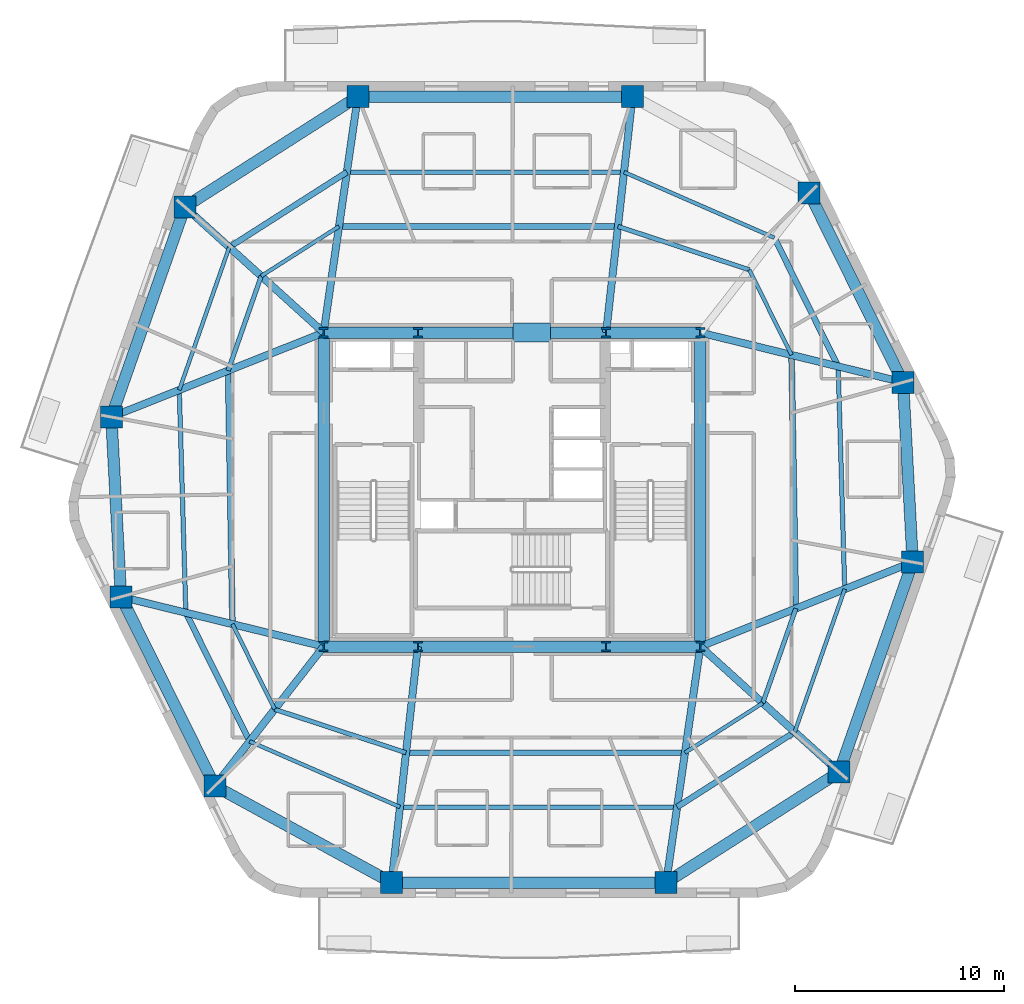
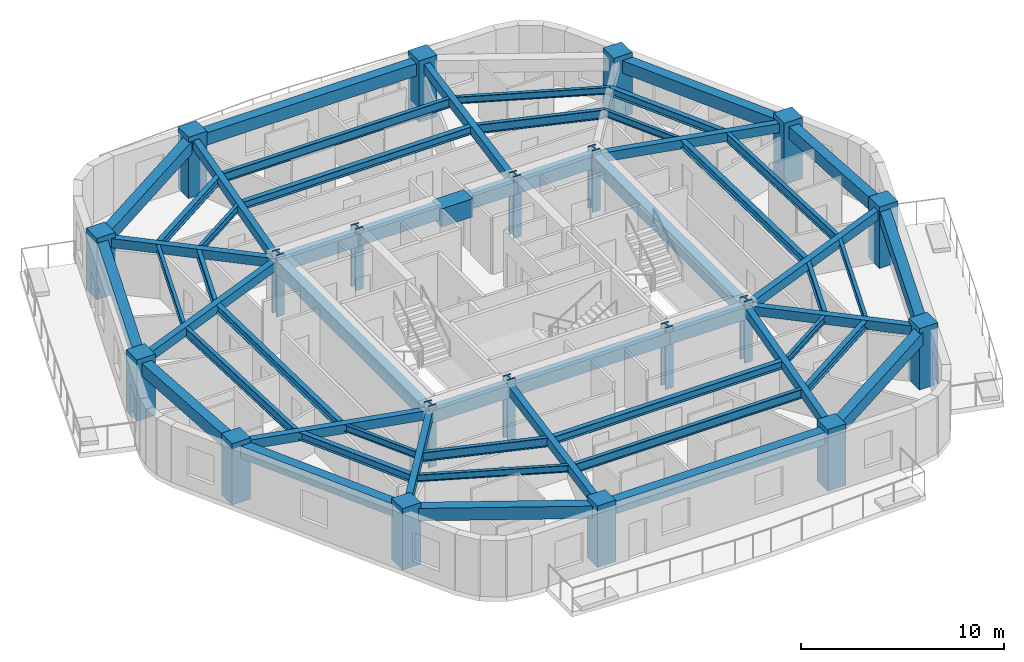
# One storey, part 1 of 11: 55 beams, 20 columns.
"""IFC4 building model written with IfcOpenShell, lengths in metres."""

from ifc_helpers import new_model, si_unit, direction, frame, origin, origin_2d, place, context, subcontext, project, spatial, rectangle, i_section, extrude, material, material_profile, profile_set, type_object, element, save


model = new_model("IFC4")

# Units and contexts
model_context = context("Model", 3, precision=1e-05, world=origin(), true_north=direction((0.0, 1.0)))
body_context = subcontext(model_context, "Body", "Model", "MODEL_VIEW")
ifc_project = project(units=[si_unit("LENGTHUNIT", "METRE"), si_unit("AREAUNIT", "SQUARE_METRE"), si_unit("VOLUMEUNIT", "CUBIC_METRE"), si_unit("PLANEANGLEUNIT", "RADIAN"), si_unit("MASSUNIT", "GRAM", prefix="KILO")], contexts=[model_context])

# Site, building, storey
site_placement = place(None, origin())
site = spatial("IfcSite", under=ifc_project, at=site_placement, CompositionType="ELEMENT")
building_placement = place(site_placement, origin())
building = spatial("IfcBuilding", under=site, at=building_placement, Name="Kilnhurst Terrace Hotel", CompositionType="ELEMENT")
storey_placement = place(building_placement, frame((0.0, 0.0, 162.800048828125)))
storey = spatial("IfcBuildingStorey", under=building, at=storey_placement, Name="L40", CompositionType="ELEMENT", Elevation=162.800048828125)

# Columns
ifc_material_1 = material(Name="Concrete C80/95", Category="concrete")
ifc_material_profile_1 = material_profile(ifc_material_1, rectangle(XDim=1.050048828125, YDim=1.050048828125, at=origin_2d()), Name="RC1050X1050")
ifc_profile_set_1 = profile_set([ifc_material_profile_1], Name="Concrete C80/95")
column_type_1 = type_object("IfcColumnType", Name="COL-RC-1050", PredefinedType="COLUMN", material=ifc_profile_set_1)
for number, where, z_axis, x_axis, name in (
    (1, (-5.7548828125, -18.780029296875, 0.0), (0.0, 0.0, 1.0), (1.0, 0.0, 0.0), "L40 Structural Column PC-F11"),
    (2, (7.368896484375, -18.780029296875, 0.0), (0.0, 0.0, 1.0), (1.0, 0.0, 0.0), "L40 Structural Column PC-F12"),
    (3, (15.633056640625, -13.5048828125, 0.0), (0.0, 0.0, 1.0), (1.0, 0.0, 0.0), "L40 Structural Column PC-F21"),
    (4, (19.14794921875, -3.467041015625, 0.0), (0.0, 0.0, 1.0), (1.0, 0.0, 0.0), "L40 Structural Column PC-F22"),
    (5, (18.68701171875, 5.1240234375, 0.0), (0.0, 0.0, 1.0), (1.0, 0.0, 0.0), "L40 Structural Column PC-F31"),
    (6, (14.2041015625, 14.166015625, 0.0), (0.0, 0.0, 1.0), (1.0, 0.0, 0.0), "L40 Structural Column PC-F32"),
    (7, (5.7548828125, 18.780029296875, 0.0), (0.0, 0.0, 1.0), (1.0, 0.0, 0.0), "L40 Structural Column PC-F41"),
    (8, (-7.368896484375, 18.780029296875, 0.0), (0.0, 0.0, 1.0), (1.0, 0.0, 0.0), "L40 Structural Column PC-F42"),
    (9, (-15.633056640625, 13.5048828125, 0.0), (0.0, 0.0, 1.0), (1.0, 0.0, 0.0), "L40 Structural Column PC-F51"),
    (10, (-19.14794921875, 3.467041015625, 0.0), (0.0, 0.0, 1.0), (1.0, 0.0, 0.0), "L40 Structural Column PC-F52"),
    (11, (-18.68701171875, -5.1240234375, 0.0), (0.0, 0.0, 1.0), (1.0, 0.0, 0.0), "L40 Structural Column PC-F61"),
    (12, (-14.2041015625, -14.166015625, 0.0), (0.0, 0.0, 1.0), (1.0, 0.0, 0.0), "L40 Structural Column PC-F62"),
):
    element("IfcColumn", number, at=place(storey_placement, frame(where, z_axis=z_axis, x_axis=x_axis)), inside=storey, type_object=column_type_1, Name=name, PredefinedType="COLUMN", context=body_context, shape_type="SweptSolid", body=[
        extrude(rectangle(XDim=1.050048828125, YDim=1.050048828125, at=origin_2d()), origin(), (0.0, 0.0, 1.0), 3.699951171875),
    ])
ifc_material_2 = material(Name="Steel ASTM A992 Grade 50", Category="steel")
ifc_material_profile_2 = material_profile(ifc_material_2, i_section(OverallWidth=0.43212890625, OverallDepth=0.497802734375, WebThickness=0.0556640625, FlangeThickness=0.0888671875, at=origin_2d()), Name="W14X500")
ifc_profile_set_2 = profile_set([ifc_material_profile_2], Name="Steel ASTM A992 Grade 50")
column_type_2 = type_object("IfcColumnType", Name="COL-STL-W14X500", PredefinedType="COLUMN", material=ifc_profile_set_2)
for number, where, z_axis, x_axis, name in (
    (13, (-9.0, -7.5, 0.0), (0.0, 0.0, 1.0), (1.0, 0.0, 0.0), "L40 Structural Column CC-SW"),
    (14, (-4.5, -7.5, 0.0), (0.0, 0.0, 1.0), (1.0, 0.0, 0.0), "L40 Structural Column CC-SC1"),
    (15, (4.5, -7.5, 0.0), (0.0, 0.0, 1.0), (1.0, 0.0, 0.0), "L40 Structural Column CC-SC2"),
    (16, (9.0, -7.5, 0.0), (0.0, 0.0, 1.0), (1.0, 0.0, 0.0), "L40 Structural Column CC-SE"),
    (17, (9.0, 7.5, 0.0), (0.0, 0.0, 1.0), (1.0, 0.0, 0.0), "L40 Structural Column CC-NE"),
    (18, (4.5, 7.5, 0.0), (0.0, 0.0, 1.0), (1.0, 0.0, 0.0), "L40 Structural Column CC-NC2"),
    (19, (-4.5, 7.5, 0.0), (0.0, 0.0, 1.0), (1.0, 0.0, 0.0), "L40 Structural Column CC-NC1"),
    (20, (-9.0, 7.5, 0.0), (0.0, 0.0, 1.0), (1.0, 0.0, 0.0), "L40 Structural Column CC-NW"),
):
    element("IfcColumn", number, at=place(storey_placement, frame(where, z_axis=z_axis, x_axis=x_axis)), inside=storey, type_object=column_type_2, Name=name, PredefinedType="COLUMN", context=body_context, shape_type="SweptSolid", body=[
        extrude(i_section(OverallWidth=0.43212890625, OverallDepth=0.497802734375, WebThickness=0.0556640625, FlangeThickness=0.0888671875, at=origin_2d()), origin(), (0.0, 0.0, 1.0), 3.699951171875),
    ])

# Beams
ifc_material_3 = material(Name="Concrete C50/60", Category="concrete")
ifc_material_profile_3 = material_profile(ifc_material_3, rectangle(XDim=0.35009765625, YDim=0.550048828125, at=origin_2d()), Name="RC350X550")
ifc_profile_set_3 = profile_set([ifc_material_profile_3], Name="Concrete C50/60")
beam_type_1 = type_object("IfcBeamType", Name="BM-RAD-350X550", PredefinedType="BEAM", material=ifc_profile_set_3)
beam_1_placement = place(storey_placement, frame((-4.5, -7.5, 3.125), z_axis=(-0.110566099441, -0.993868772854, 0.0), x_axis=(0.993868772854, -0.110566099441, 0.0)))
element("IfcBeam", 21, at=beam_1_placement, inside=storey, type_object=beam_type_1, Name="L40 Radial Floor Beam 1", PredefinedType="BEAM", context=body_context, shape_type="SweptSolid", body=[
    extrude(rectangle(XDim=0.35009765625, YDim=0.550048828125, at=origin_2d()), origin(), (0.0, 0.0, 1.0), 11.349609375),
])
beam_2_placement = place(storey_placement, frame((9.0, -7.5, 3.125), z_axis=(-0.143112538238, -0.989706421824, 0.0), x_axis=(0.989706421824, -0.143112538238, 0.0)))
element("IfcBeam", 22, at=beam_2_placement, inside=storey, type_object=beam_type_1, Name="L40 Radial Floor Beam 2", PredefinedType="BEAM", context=body_context, shape_type="SweptSolid", body=[
    extrude(rectangle(XDim=0.35009765625, YDim=0.550048828125, at=origin_2d()), origin(), (0.0, 0.0, 1.0), 11.3974609375),
])
beam_3_placement = place(storey_placement, frame((9.0, -7.5, 3.125), z_axis=(0.741338585645, -0.671131210296, 0.0), x_axis=(0.671131210296, 0.741338585645, 0.0)))
element("IfcBeam", 23, at=beam_3_placement, inside=storey, type_object=beam_type_1, Name="L40 Radial Floor Beam 3", PredefinedType="BEAM", context=body_context, shape_type="SweptSolid", body=[
    extrude(rectangle(XDim=0.35009765625, YDim=0.550048828125, at=origin_2d()), origin(), (0.0, 0.0, 1.0), 8.947509765625),
])
beam_4_placement = place(storey_placement, frame((9.0, -7.5, 3.125), z_axis=(0.929302373458, 0.369319778356, 0.0), x_axis=(-0.369319778356, 0.929302373458, 0.0)))
element("IfcBeam", 24, at=beam_4_placement, inside=storey, type_object=beam_type_1, Name="L40 Radial Floor Beam 4", PredefinedType="BEAM", context=body_context, shape_type="SweptSolid", body=[
    extrude(rectangle(XDim=0.35009765625, YDim=0.550048828125, at=origin_2d()), origin(), (0.0, 0.0, 1.0), 10.919921875),
])
beam_5_placement = place(storey_placement, frame((9.0, 7.5, 3.125), z_axis=(0.971212767405, -0.238213686486, 0.0), x_axis=(0.238213686486, 0.971212767405, 0.0)))
element("IfcBeam", 25, at=beam_5_placement, inside=storey, type_object=beam_type_1, Name="L40 Radial Floor Beam 5", PredefinedType="BEAM", context=body_context, shape_type="SweptSolid", body=[
    extrude(rectangle(XDim=0.35009765625, YDim=0.550048828125, at=origin_2d()), origin(), (0.0, 0.0, 1.0), 9.97412109375),
])
beam_6_placement = place(storey_placement, frame((4.5, 7.5, 3.125), z_axis=(0.110566099441, 0.993868772854, 0.0), x_axis=(-0.993868772854, 0.110566099441, 0.0)))
element("IfcBeam", 26, at=beam_6_placement, inside=storey, type_object=beam_type_1, Name="L40 Radial Floor Beam 7", PredefinedType="BEAM", context=body_context, shape_type="SweptSolid", body=[
    extrude(rectangle(XDim=0.35009765625, YDim=0.550048828125, at=origin_2d()), origin(), (0.0, 0.0, 1.0), 11.349609375),
])
beam_7_placement = place(storey_placement, frame((-9.0, 7.5, 3.125), z_axis=(0.143112538238, 0.989706421824, 0.0), x_axis=(-0.989706421824, 0.143112538238, 0.0)))
element("IfcBeam", 27, at=beam_7_placement, inside=storey, type_object=beam_type_1, Name="L40 Radial Floor Beam 8", PredefinedType="BEAM", context=body_context, shape_type="SweptSolid", body=[
    extrude(rectangle(XDim=0.35009765625, YDim=0.550048828125, at=origin_2d()), origin(), (0.0, 0.0, 1.0), 11.3974609375),
])
beam_8_placement = place(storey_placement, frame((-9.0, 7.5, 3.125), z_axis=(-0.741338585645, 0.671131210296, 0.0), x_axis=(-0.671131210296, -0.741338585645, 0.0)))
element("IfcBeam", 28, at=beam_8_placement, inside=storey, type_object=beam_type_1, Name="L40 Radial Floor Beam 9", PredefinedType="BEAM", context=body_context, shape_type="SweptSolid", body=[
    extrude(rectangle(XDim=0.35009765625, YDim=0.550048828125, at=origin_2d()), origin(), (0.0, 0.0, 1.0), 8.947509765625),
])
beam_9_placement = place(storey_placement, frame((-9.0, 7.5, 3.125), z_axis=(-0.929302373458, -0.369319778356, 0.0), x_axis=(0.369319778356, -0.929302373458, 0.0)))
element("IfcBeam", 29, at=beam_9_placement, inside=storey, type_object=beam_type_1, Name="L40 Radial Floor Beam 10", PredefinedType="BEAM", context=body_context, shape_type="SweptSolid", body=[
    extrude(rectangle(XDim=0.35009765625, YDim=0.550048828125, at=origin_2d()), origin(), (0.0, 0.0, 1.0), 10.919921875),
])
beam_10_placement = place(storey_placement, frame((-9.0, -7.5, 3.125), z_axis=(-0.971212767405, 0.238213686486, 0.0), x_axis=(-0.238213686486, -0.971212767405, 0.0)))
element("IfcBeam", 30, at=beam_10_placement, inside=storey, type_object=beam_type_1, Name="L40 Radial Floor Beam 11", PredefinedType="BEAM", context=body_context, shape_type="SweptSolid", body=[
    extrude(rectangle(XDim=0.35009765625, YDim=0.550048828125, at=origin_2d()), origin(), (0.0, 0.0, 1.0), 9.97412109375),
])
beam_11_placement = place(storey_placement, frame((-9.0, -7.5, 3.125), z_axis=(-0.615370616457, -0.78823791104, 0.0), x_axis=(0.78823791104, -0.615370616457, 0.0)))
element("IfcBeam", 31, at=beam_11_placement, inside=storey, type_object=beam_type_1, Name="L40 Radial Floor Beam 12", PredefinedType="BEAM", context=body_context, shape_type="SweptSolid", body=[
    extrude(rectangle(XDim=0.35009765625, YDim=0.550048828125, at=origin_2d()), origin(), (0.0, 0.0, 1.0), 8.456787109375),
])
ifc_material_profile_4 = material_profile(ifc_material_3, rectangle(XDim=0.550048828125, YDim=0.75, at=origin_2d()), Name="RC550X750")
ifc_profile_set_4 = profile_set([ifc_material_profile_4], Name="Concrete C50/60")
beam_type_2 = type_object("IfcBeamType", Name="BM-SPN-550X750", PredefinedType="SPANDREL", material=ifc_profile_set_4)
beam_12_placement = place(storey_placement, frame((-9.0, 7.5, 3.02490234375), z_axis=(1.0, 0.0, 0.0), x_axis=(0.0, 1.0, 0.0)))
element("IfcBeam", 32, at=beam_12_placement, inside=storey, type_object=beam_type_2, Name="L40 Core Tie Beam CC-NW to CC-NC1", PredefinedType="SPANDREL", context=body_context, shape_type="SweptSolid", body=[
    extrude(rectangle(XDim=0.550048828125, YDim=0.75, at=origin_2d()), origin(), (0.0, 0.0, 1.0), 4.5),
])
beam_13_placement = place(storey_placement, frame((-4.5, 7.5, 3.02490234375), z_axis=(1.0, 0.0, 0.0), x_axis=(0.0, 1.0, 0.0)))
element("IfcBeam", 33, at=beam_13_placement, inside=storey, type_object=beam_type_2, Name="L40 Core Tie Beam CC-NC1 to CC-NC2", PredefinedType="SPANDREL", context=body_context, shape_type="SweptSolid", body=[
    extrude(rectangle(XDim=0.550048828125, YDim=0.75, at=origin_2d()), origin(), (0.0, 0.0, 1.0), 9.0),
])
for number, where, z_axis, x_axis, name in (
    (34, (4.5, 7.5, 3.02490234375), (1.0, 0.0, 0.0), (0.0, 1.0, 0.0), "L40 Core Tie Beam CC-NC2 to CC-NE"),
    (35, (-9.0, -7.5, 3.02490234375), (1.0, 0.0, 0.0), (0.0, 1.0, 0.0), "L40 Core Tie Beam CC-SW to CC-SC1"),
):
    element("IfcBeam", number, at=place(storey_placement, frame(where, z_axis=z_axis, x_axis=x_axis)), inside=storey, type_object=beam_type_2, Name=name, PredefinedType="SPANDREL", context=body_context, shape_type="SweptSolid", body=[
        extrude(rectangle(XDim=0.550048828125, YDim=0.75, at=origin_2d()), origin(), (0.0, 0.0, 1.0), 4.5),
    ])
beam_14_placement = place(storey_placement, frame((-4.5, -7.5, 3.02490234375), z_axis=(1.0, 0.0, 0.0), x_axis=(0.0, 1.0, 0.0)))
element("IfcBeam", 36, at=beam_14_placement, inside=storey, type_object=beam_type_2, Name="L40 Core Tie Beam CC-SC1 to CC-SC2", PredefinedType="SPANDREL", context=body_context, shape_type="SweptSolid", body=[
    extrude(rectangle(XDim=0.550048828125, YDim=0.75, at=origin_2d()), origin(), (0.0, 0.0, 1.0), 9.0),
])
beam_15_placement = place(storey_placement, frame((4.5, -7.5, 3.02490234375), z_axis=(1.0, 0.0, 0.0), x_axis=(0.0, 1.0, 0.0)))
element("IfcBeam", 37, at=beam_15_placement, inside=storey, type_object=beam_type_2, Name="L40 Core Tie Beam CC-SC2 to CC-SE", PredefinedType="SPANDREL", context=body_context, shape_type="SweptSolid", body=[
    extrude(rectangle(XDim=0.550048828125, YDim=0.75, at=origin_2d()), origin(), (0.0, 0.0, 1.0), 4.5),
])
for number, where, z_axis, x_axis, name in (
    (38, (-9.0, -7.5, 3.02490234375), (0.0, 1.0, 0.0), (-1.0, 0.0, 0.0), "L40 Core Tie Beam CC-SW to CC-NW"),
    (39, (9.0, -7.5, 3.02490234375), (0.0, 1.0, 0.0), (-1.0, 0.0, 0.0), "L40 Core Tie Beam CC-SE to CC-NE"),
):
    element("IfcBeam", number, at=place(storey_placement, frame(where, z_axis=z_axis, x_axis=x_axis)), inside=storey, type_object=beam_type_2, Name=name, PredefinedType="SPANDREL", context=body_context, shape_type="SweptSolid", body=[
        extrude(rectangle(XDim=0.550048828125, YDim=0.75, at=origin_2d()), origin(), (0.0, 0.0, 1.0), 15.0),
    ])
beam_16_placement = place(storey_placement, frame((-5.7548828125, -18.780029296875, 3.02490234375), z_axis=(1.0, 0.0, 0.0), x_axis=(0.0, 1.0, 0.0)))
element("IfcBeam", 40, at=beam_16_placement, inside=storey, type_object=beam_type_2, Name="L40 Perimeter Spandrel Beam 1", PredefinedType="SPANDREL", context=body_context, shape_type="SweptSolid", body=[
    extrude(rectangle(XDim=0.550048828125, YDim=0.75, at=origin_2d()), origin(), (0.0, 0.0, 1.0), 13.123779296875),
])
beam_17_placement = place(storey_placement, frame((7.368896484375, -18.780029296875, 3.02490234375), z_axis=(0.842915241256, 0.538046369803, 0.0), x_axis=(-0.538046369803, 0.842915241256, 0.0)))
element("IfcBeam", 41, at=beam_17_placement, inside=storey, type_object=beam_type_2, Name="L40 Perimeter Spandrel Beam 2", PredefinedType="SPANDREL", context=body_context, shape_type="SweptSolid", body=[
    extrude(rectangle(XDim=0.550048828125, YDim=0.75, at=origin_2d()), origin(), (0.0, 0.0, 1.0), 9.80419921875),
])
beam_18_placement = place(storey_placement, frame((15.633056640625, -13.5048828125, 3.02490234375), z_axis=(0.330488460168, 0.943810032632, 0.0), x_axis=(-0.943810032632, 0.330488460168, 0.0)))
element("IfcBeam", 42, at=beam_18_placement, inside=storey, type_object=beam_type_2, Name="L40 Perimeter Spandrel Beam 3", PredefinedType="SPANDREL", context=body_context, shape_type="SweptSolid", body=[
    extrude(rectangle(XDim=0.550048828125, YDim=0.75, at=origin_2d()), origin(), (0.0, 0.0, 1.0), 10.635498046875),
])
beam_19_placement = place(storey_placement, frame((19.14794921875, -3.467041015625, 3.02490234375), z_axis=(-0.053576072051, 0.998563770875, 0.0), x_axis=(-0.998563770875, -0.053576072051, 0.0)))
element("IfcBeam", 43, at=beam_19_placement, inside=storey, type_object=beam_type_2, Name="L40 Perimeter Spandrel Beam 4", PredefinedType="SPANDREL", context=body_context, shape_type="SweptSolid", body=[
    extrude(rectangle(XDim=0.550048828125, YDim=0.75, at=origin_2d()), origin(), (0.0, 0.0, 1.0), 8.603515625),
])
beam_20_placement = place(storey_placement, frame((18.68701171875, 5.1240234375, 3.02490234375), z_axis=(-0.444192032261, 0.895931603682, 0.0), x_axis=(-0.895931603682, -0.444192032261, 0.0)))
element("IfcBeam", 44, at=beam_20_placement, inside=storey, type_object=beam_type_2, Name="L40 Perimeter Spandrel Beam 5", PredefinedType="SPANDREL", context=body_context, shape_type="SweptSolid", body=[
    extrude(rectangle(XDim=0.550048828125, YDim=0.75, at=origin_2d()), origin(), (0.0, 0.0, 1.0), 10.09228515625),
])
beam_21_placement = place(storey_placement, frame((5.7548828125, 18.780029296875, 3.02490234375), z_axis=(-1.0, 0.0, 0.0), x_axis=(0.0, -1.0, 0.0)))
element("IfcBeam", 45, at=beam_21_placement, inside=storey, type_object=beam_type_2, Name="L40 Perimeter Spandrel Beam 7", PredefinedType="SPANDREL", context=body_context, shape_type="SweptSolid", body=[
    extrude(rectangle(XDim=0.550048828125, YDim=0.75, at=origin_2d()), origin(), (0.0, 0.0, 1.0), 13.123779296875),
])
beam_22_placement = place(storey_placement, frame((-7.368896484375, 18.780029296875, 3.02490234375), z_axis=(-0.842915241256, -0.538046369803, 0.0), x_axis=(0.538046369803, -0.842915241256, 0.0)))
element("IfcBeam", 46, at=beam_22_placement, inside=storey, type_object=beam_type_2, Name="L40 Perimeter Spandrel Beam 8", PredefinedType="SPANDREL", context=body_context, shape_type="SweptSolid", body=[
    extrude(rectangle(XDim=0.550048828125, YDim=0.75, at=origin_2d()), origin(), (0.0, 0.0, 1.0), 9.80419921875),
])
beam_23_placement = place(storey_placement, frame((-15.633056640625, 13.5048828125, 3.02490234375), z_axis=(-0.330488460168, -0.943810032632, 0.0), x_axis=(0.943810032632, -0.330488460168, 0.0)))
element("IfcBeam", 47, at=beam_23_placement, inside=storey, type_object=beam_type_2, Name="L40 Perimeter Spandrel Beam 9", PredefinedType="SPANDREL", context=body_context, shape_type="SweptSolid", body=[
    extrude(rectangle(XDim=0.550048828125, YDim=0.75, at=origin_2d()), origin(), (0.0, 0.0, 1.0), 10.635498046875),
])
beam_24_placement = place(storey_placement, frame((-19.14794921875, 3.467041015625, 3.02490234375), z_axis=(0.053576072051, -0.998563770875, 0.0), x_axis=(0.998563770875, 0.053576072051, 0.0)))
element("IfcBeam", 48, at=beam_24_placement, inside=storey, type_object=beam_type_2, Name="L40 Perimeter Spandrel Beam 10", PredefinedType="SPANDREL", context=body_context, shape_type="SweptSolid", body=[
    extrude(rectangle(XDim=0.550048828125, YDim=0.75, at=origin_2d()), origin(), (0.0, 0.0, 1.0), 8.603515625),
])
beam_25_placement = place(storey_placement, frame((-18.68701171875, -5.1240234375, 3.02490234375), z_axis=(0.444192032261, -0.895931603682, 0.0), x_axis=(0.895931603682, 0.444192032261, 0.0)))
element("IfcBeam", 49, at=beam_25_placement, inside=storey, type_object=beam_type_2, Name="L40 Perimeter Spandrel Beam 11", PredefinedType="SPANDREL", context=body_context, shape_type="SweptSolid", body=[
    extrude(rectangle(XDim=0.550048828125, YDim=0.75, at=origin_2d()), origin(), (0.0, 0.0, 1.0), 10.09228515625),
])
beam_26_placement = place(storey_placement, frame((-14.2041015625, -14.166015625, 3.02490234375), z_axis=(0.87766189723, -0.479280287672, 0.0), x_axis=(0.479280287672, 0.87766189723, 0.0)))
element("IfcBeam", 50, at=beam_26_placement, inside=storey, type_object=beam_type_2, Name="L40 Perimeter Spandrel Beam 12", PredefinedType="SPANDREL", context=body_context, shape_type="SweptSolid", body=[
    extrude(rectangle(XDim=0.550048828125, YDim=0.75, at=origin_2d()), origin(), (0.0, 0.0, 1.0), 9.626953125),
])
ifc_material_profile_5 = material_profile(ifc_material_2, i_section(OverallWidth=0.180908203125, OverallDepth=0.417236328125, WebThickness=0.010986328125, FlangeThickness=0.018310546875, at=origin_2d()), Name="W16X57")
ifc_profile_set_5 = profile_set([ifc_material_profile_5], Name="Steel ASTM A992 Grade 50")
beam_type_3 = type_object("IfcBeamType", Name="JST-STL-W16X57", PredefinedType="JOIST", material=ifc_profile_set_5)
beam_27_placement = place(storey_placement, frame((13.510498046875, -11.58349609375, 3.19091796875), z_axis=(0.330481239411, 0.943812561051, 0.0), x_axis=(-0.943812561051, 0.330481239411, 0.0)))
element("IfcBeam", 51, at=beam_27_placement, inside=storey, type_object=beam_type_3, Name="L40 Secondary Floor Steel Joist OUT.3", PredefinedType="JOIST", context=body_context, shape_type="SweptSolid", body=[
    extrude(i_section(OverallWidth=0.180908203125, OverallDepth=0.417236328125, WebThickness=0.010986328125, FlangeThickness=0.018310546875, at=origin_2d()), origin(), (0.0, 0.0, 1.0), 7.232177734375),
])
beam_28_placement = place(storey_placement, frame((12.538818359375, 12.032958984375, 3.19091796875), z_axis=(-0.916443679054, 0.400163695407, 0.0), x_axis=(-0.400163695407, -0.916443679054, 0.0)))
element("IfcBeam", 52, at=beam_28_placement, inside=storey, type_object=beam_type_3, Name="L40 Secondary Floor Steel Joist OUT.6", PredefinedType="JOIST", context=body_context, shape_type="SweptSolid", body=[
    extrude(i_section(OverallWidth=0.180908203125, OverallDepth=0.417236328125, WebThickness=0.010986328125, FlangeThickness=0.018310546875, at=origin_2d()), origin(), (0.0, 0.0, 1.0), 7.84033203125),
])
beam_29_placement = place(storey_placement, frame((-13.510498046875, 11.58349609375, 3.19091796875), z_axis=(-0.330481239411, -0.943812561051, 0.0), x_axis=(0.943812561051, -0.330481239411, 0.0)))
element("IfcBeam", 53, at=beam_29_placement, inside=storey, type_object=beam_type_3, Name="L40 Secondary Floor Steel Joist OUT.9", PredefinedType="JOIST", context=body_context, shape_type="SweptSolid", body=[
    extrude(i_section(OverallWidth=0.180908203125, OverallDepth=0.417236328125, WebThickness=0.010986328125, FlangeThickness=0.018310546875, at=origin_2d()), origin(), (0.0, 0.0, 1.0), 7.232177734375),
])
beam_30_placement = place(storey_placement, frame((-12.538818359375, -12.032958984375, 3.19091796875), z_axis=(0.916443679054, -0.400163695407, 0.0), x_axis=(0.400163695407, 0.916443679054, 0.0)))
element("IfcBeam", 54, at=beam_30_placement, inside=storey, type_object=beam_type_3, Name="L40 Secondary Floor Steel Joist OUT.12", PredefinedType="JOIST", context=body_context, shape_type="SweptSolid", body=[
    extrude(i_section(OverallWidth=0.180908203125, OverallDepth=0.417236328125, WebThickness=0.010986328125, FlangeThickness=0.018310546875, at=origin_2d()), origin(), (0.0, 0.0, 1.0), 7.84033203125),
])
beam_31_placement = place(storey_placement, frame((8.26611328125, -12.575927734375, 3.19091796875), z_axis=(0.842910995806, 0.53805302076, 0.0), x_axis=(-0.53805302076, 0.842910995806, 0.0)))
element("IfcBeam", 55, at=beam_31_placement, inside=storey, type_object=beam_type_3, Name="L40 Secondary Floor Steel Joist IN.2", PredefinedType="JOIST", context=body_context, shape_type="SweptSolid", body=[
    extrude(i_section(OverallWidth=0.180908203125, OverallDepth=0.417236328125, WebThickness=0.010986328125, FlangeThickness=0.018310546875, at=origin_2d()), origin(), (0.0, 0.0, 1.0), 4.411865234375),
])
beam_32_placement = place(storey_placement, frame((13.359130859375, 6.430908203125, 3.19091796875), z_axis=(-0.444200626094, 0.895927342912, 0.0), x_axis=(-0.895927342912, -0.444200626094, 0.0)))
element("IfcBeam", 56, at=beam_32_placement, inside=storey, type_object=beam_type_3, Name="L40 Secondary Floor Steel Joist IN.5", PredefinedType="JOIST", context=body_context, shape_type="SweptSolid", body=[
    extrude(i_section(OverallWidth=0.180908203125, OverallDepth=0.417236328125, WebThickness=0.010986328125, FlangeThickness=0.018310546875, at=origin_2d()), origin(), (0.0, 0.0, 1.0), 4.54150390625),
])
beam_33_placement = place(storey_placement, frame((-8.26611328125, 12.575927734375, 3.19091796875), z_axis=(-0.842910995806, -0.53805302076, 0.0), x_axis=(0.53805302076, -0.842910995806, 0.0)))
element("IfcBeam", 57, at=beam_33_placement, inside=storey, type_object=beam_type_3, Name="L40 Secondary Floor Steel Joist IN.8", PredefinedType="JOIST", context=body_context, shape_type="SweptSolid", body=[
    extrude(i_section(OverallWidth=0.180908203125, OverallDepth=0.417236328125, WebThickness=0.010986328125, FlangeThickness=0.018310546875, at=origin_2d()), origin(), (0.0, 0.0, 1.0), 4.411865234375),
])
beam_34_placement = place(storey_placement, frame((-13.359130859375, -6.430908203125, 3.19091796875), z_axis=(0.444200626094, -0.895927342912, 0.0), x_axis=(0.895927342912, 0.444200626094, 0.0)))
element("IfcBeam", 58, at=beam_34_placement, inside=storey, type_object=beam_type_3, Name="L40 Secondary Floor Steel Joist IN.11", PredefinedType="JOIST", context=body_context, shape_type="SweptSolid", body=[
    extrude(i_section(OverallWidth=0.180908203125, OverallDepth=0.417236328125, WebThickness=0.010986328125, FlangeThickness=0.018310546875, at=origin_2d()), origin(), (0.0, 0.0, 1.0), 4.54150390625),
])
ifc_material_profile_6 = material_profile(ifc_material_2, i_section(OverallWidth=0.279296875, OverallDepth=0.462890625, WebThickness=0.0107421875, FlangeThickness=0.017333984375, at=origin_2d()), Name="W18X76")
ifc_profile_set_6 = profile_set([ifc_material_profile_6], Name="Steel ASTM A992 Grade 50")
beam_type_4 = type_object("IfcBeamType", Name="JST-STL-W18X76", PredefinedType="JOIST", material=ifc_profile_set_6)
beam_35_placement = place(storey_placement, frame((7.890869140625, -15.17041015625, 3.16796875), z_axis=(0.842927863369, 0.538026595213, 0.0), x_axis=(-0.538026595213, 0.842927863369, 0.0)))
element("IfcBeam", 59, at=beam_35_placement, inside=storey, type_object=beam_type_4, Name="L40 Secondary Floor Steel Joist OUT.2", PredefinedType="JOIST", context=body_context, shape_type="SweptSolid", body=[
    extrude(i_section(OverallWidth=0.279296875, OverallDepth=0.462890625, WebThickness=0.0107421875, FlangeThickness=0.017333984375, at=origin_2d()), origin(), (0.0, 0.0, 1.0), 6.666748046875),
])
beam_36_placement = place(storey_placement, frame((15.587158203125, 5.88427734375, 3.16796875), z_axis=(-0.444180101574, 0.895937518673, 0.0), x_axis=(-0.895937518673, -0.444180101574, 0.0)))
element("IfcBeam", 60, at=beam_36_placement, inside=storey, type_object=beam_type_4, Name="L40 Secondary Floor Steel Joist OUT.5", PredefinedType="JOIST", context=body_context, shape_type="SweptSolid", body=[
    extrude(i_section(OverallWidth=0.279296875, OverallDepth=0.462890625, WebThickness=0.0107421875, FlangeThickness=0.017333984375, at=origin_2d()), origin(), (0.0, 0.0, 1.0), 6.86279296875),
])
beam_37_placement = place(storey_placement, frame((-7.890869140625, 15.17041015625, 3.16796875), z_axis=(-0.842927863369, -0.538026595213, 0.0), x_axis=(0.538026595213, -0.842927863369, 0.0)))
element("IfcBeam", 61, at=beam_37_placement, inside=storey, type_object=beam_type_4, Name="L40 Secondary Floor Steel Joist OUT.8", PredefinedType="JOIST", context=body_context, shape_type="SweptSolid", body=[
    extrude(i_section(OverallWidth=0.279296875, OverallDepth=0.462890625, WebThickness=0.0107421875, FlangeThickness=0.017333984375, at=origin_2d()), origin(), (0.0, 0.0, 1.0), 6.666748046875),
])
beam_38_placement = place(storey_placement, frame((-15.587158203125, -5.88427734375, 3.16796875), z_axis=(0.444180101574, -0.895937518673, 0.0), x_axis=(0.895937518673, 0.444180101574, 0.0)))
element("IfcBeam", 62, at=beam_38_placement, inside=storey, type_object=beam_type_4, Name="L40 Secondary Floor Steel Joist OUT.11", PredefinedType="JOIST", context=body_context, shape_type="SweptSolid", body=[
    extrude(i_section(OverallWidth=0.279296875, OverallDepth=0.462890625, WebThickness=0.0107421875, FlangeThickness=0.017333984375, at=origin_2d()), origin(), (0.0, 0.0, 1.0), 6.86279296875),
])
beam_39_placement = place(storey_placement, frame((-5.064697265625, -12.575927734375, 3.16796875), z_axis=(1.0, 0.0, 0.0), x_axis=(0.0, 1.0, 0.0)))
element("IfcBeam", 63, at=beam_39_placement, inside=storey, type_object=beam_type_4, Name="L40 Secondary Floor Steel Joist IN.1", PredefinedType="JOIST", context=body_context, shape_type="SweptSolid", body=[
    extrude(i_section(OverallWidth=0.279296875, OverallDepth=0.462890625, WebThickness=0.0107421875, FlangeThickness=0.017333984375, at=origin_2d()), origin(), (0.0, 0.0, 1.0), 13.330810546875),
])
beam_40_placement = place(storey_placement, frame((13.566650390625, -5.685302734375, 3.16796875), z_axis=(-0.017124916462, 0.999853357866, 0.0), x_axis=(-0.999853357866, -0.017124916462, 0.0)))
element("IfcBeam", 64, at=beam_40_placement, inside=storey, type_object=beam_type_4, Name="L40 Secondary Floor Steel Joist IN.4", PredefinedType="JOIST", context=body_context, shape_type="SweptSolid", body=[
    extrude(i_section(OverallWidth=0.279296875, OverallDepth=0.462890625, WebThickness=0.0107421875, FlangeThickness=0.017333984375, at=origin_2d()), origin(), (0.0, 0.0, 1.0), 12.117919921875),
])
beam_41_placement = place(storey_placement, frame((5.064697265625, 12.575927734375, 3.16796875), z_axis=(-1.0, 0.0, 0.0), x_axis=(0.0, -1.0, 0.0)))
element("IfcBeam", 65, at=beam_41_placement, inside=storey, type_object=beam_type_4, Name="L40 Secondary Floor Steel Joist IN.7", PredefinedType="JOIST", context=body_context, shape_type="SweptSolid", body=[
    extrude(i_section(OverallWidth=0.279296875, OverallDepth=0.462890625, WebThickness=0.0107421875, FlangeThickness=0.017333984375, at=origin_2d()), origin(), (0.0, 0.0, 1.0), 13.330810546875),
])
beam_42_placement = place(storey_placement, frame((-13.566650390625, 5.685302734375, 3.16796875), z_axis=(0.017124916462, -0.999853357866, 0.0), x_axis=(0.999853357866, 0.017124916462, 0.0)))
element("IfcBeam", 66, at=beam_42_placement, inside=storey, type_object=beam_type_4, Name="L40 Secondary Floor Steel Joist IN.10", PredefinedType="JOIST", context=body_context, shape_type="SweptSolid", body=[
    extrude(i_section(OverallWidth=0.279296875, OverallDepth=0.462890625, WebThickness=0.0107421875, FlangeThickness=0.017333984375, at=origin_2d()), origin(), (0.0, 0.0, 1.0), 12.117919921875),
])
ifc_material_profile_7 = material_profile(ifc_material_2, i_section(OverallWidth=0.2138671875, OverallDepth=0.549072265625, WebThickness=0.0146484375, FlangeThickness=0.023681640625, at=origin_2d()), Name="W21X93")
ifc_profile_set_7 = profile_set([ifc_material_profile_7], Name="Steel ASTM A992 Grade 50")
beam_type_5 = type_object("IfcBeamType", Name="JST-STL-W21X93", PredefinedType="JOIST", material=ifc_profile_set_7)
beam_43_placement = place(storey_placement, frame((-5.353515625, -15.17041015625, 3.125), z_axis=(1.0, 0.0, 0.0), x_axis=(0.0, 1.0, 0.0)))
element("IfcBeam", 67, at=beam_43_placement, inside=storey, type_object=beam_type_5, Name="L40 Secondary Floor Steel Joist OUT.1", PredefinedType="JOIST", context=body_context, shape_type="SweptSolid", body=[
    extrude(i_section(OverallWidth=0.2138671875, OverallDepth=0.549072265625, WebThickness=0.0146484375, FlangeThickness=0.023681640625, at=origin_2d()), origin(), (0.0, 0.0, 1.0), 13.244384765625),
])
beam_44_placement = place(storey_placement, frame((15.900634765625, -4.757568359375, 3.125), z_axis=(-0.029444201298, 0.999566425512, 0.0), x_axis=(-0.999566425512, -0.029444201298, 0.0)))
element("IfcBeam", 68, at=beam_44_placement, inside=storey, type_object=beam_type_5, Name="L40 Secondary Floor Steel Joist OUT.4", PredefinedType="JOIST", context=body_context, shape_type="SweptSolid", body=[
    extrude(i_section(OverallWidth=0.2138671875, OverallDepth=0.549072265625, WebThickness=0.0146484375, FlangeThickness=0.023681640625, at=origin_2d()), origin(), (0.0, 0.0, 1.0), 10.646484375),
])
beam_45_placement = place(storey_placement, frame((5.353515625, 15.17041015625, 3.125), z_axis=(-1.0, 0.0, 0.0), x_axis=(0.0, -1.0, 0.0)))
element("IfcBeam", 69, at=beam_45_placement, inside=storey, type_object=beam_type_5, Name="L40 Secondary Floor Steel Joist OUT.7", PredefinedType="JOIST", context=body_context, shape_type="SweptSolid", body=[
    extrude(i_section(OverallWidth=0.2138671875, OverallDepth=0.549072265625, WebThickness=0.0146484375, FlangeThickness=0.023681640625, at=origin_2d()), origin(), (0.0, 0.0, 1.0), 13.244384765625),
])
beam_46_placement = place(storey_placement, frame((-15.900634765625, 4.757568359375, 3.125), z_axis=(0.029444201298, -0.999566425512, 0.0), x_axis=(0.999566425512, 0.029444201298, 0.0)))
element("IfcBeam", 70, at=beam_46_placement, inside=storey, type_object=beam_type_5, Name="L40 Secondary Floor Steel Joist OUT.10", PredefinedType="JOIST", context=body_context, shape_type="SweptSolid", body=[
    extrude(i_section(OverallWidth=0.2138671875, OverallDepth=0.549072265625, WebThickness=0.0146484375, FlangeThickness=0.023681640625, at=origin_2d()), origin(), (0.0, 0.0, 1.0), 10.646484375),
])
beam_47_placement = place(storey_placement, frame((11.98486328125, -10.2021484375, 3.125), z_axis=(0.330516298629, 0.943800284139, 0.0), x_axis=(-0.943800284139, 0.330516298629, 0.0)))
element("IfcBeam", 71, at=beam_47_placement, inside=storey, type_object=beam_type_5, Name="L40 Secondary Floor Steel Joist IN.3", PredefinedType="JOIST", context=body_context, shape_type="SweptSolid", body=[
    extrude(i_section(OverallWidth=0.2138671875, OverallDepth=0.549072265625, WebThickness=0.0146484375, FlangeThickness=0.023681640625, at=origin_2d()), origin(), (0.0, 0.0, 1.0), 4.785888671875),
])
beam_48_placement = place(storey_placement, frame((11.341796875, 10.499755859375, 3.125), z_axis=(-0.949415572736, 0.314022404051, 0.0), x_axis=(-0.314022404051, -0.949415572736, 0.0)))
element("IfcBeam", 72, at=beam_48_placement, inside=storey, type_object=beam_type_5, Name="L40 Secondary Floor Steel Joist IN.6", PredefinedType="JOIST", context=body_context, shape_type="SweptSolid", body=[
    extrude(i_section(OverallWidth=0.2138671875, OverallDepth=0.549072265625, WebThickness=0.0146484375, FlangeThickness=0.023681640625, at=origin_2d()), origin(), (0.0, 0.0, 1.0), 6.611572265625),
])
beam_49_placement = place(storey_placement, frame((-11.98486328125, 10.2021484375, 3.125), z_axis=(-0.330516298629, -0.943800284139, 0.0), x_axis=(0.943800284139, -0.330516298629, 0.0)))
element("IfcBeam", 73, at=beam_49_placement, inside=storey, type_object=beam_type_5, Name="L40 Secondary Floor Steel Joist IN.9", PredefinedType="JOIST", context=body_context, shape_type="SweptSolid", body=[
    extrude(i_section(OverallWidth=0.2138671875, OverallDepth=0.549072265625, WebThickness=0.0146484375, FlangeThickness=0.023681640625, at=origin_2d()), origin(), (0.0, 0.0, 1.0), 4.785888671875),
])
beam_50_placement = place(storey_placement, frame((-11.341796875, -10.499755859375, 3.125), z_axis=(0.949415572736, -0.314022404051, 0.0), x_axis=(0.314022404051, 0.949415572736, 0.0)))
element("IfcBeam", 74, at=beam_50_placement, inside=storey, type_object=beam_type_5, Name="L40 Secondary Floor Steel Joist IN.12", PredefinedType="JOIST", context=body_context, shape_type="SweptSolid", body=[
    extrude(i_section(OverallWidth=0.2138671875, OverallDepth=0.549072265625, WebThickness=0.0146484375, FlangeThickness=0.023681640625, at=origin_2d()), origin(), (0.0, 0.0, 1.0), 6.611572265625),
])
ifc_material_profile_8 = material_profile(ifc_material_1, rectangle(XDim=0.89990234375, YDim=1.10009765625, at=origin_2d()), Name="RC900X1100")
ifc_profile_set_8 = profile_set([ifc_material_profile_8], Name="Concrete C80/95")
beam_type_6 = type_object("IfcBeamType", Name="LNT-CB-900X1100", PredefinedType="LINTEL", material=ifc_profile_set_8)
beam_51_placement = place(storey_placement, frame((0.050048828125, 7.5, 2.849853515625), z_axis=(1.0, 0.0, 0.0), x_axis=(0.0, 1.0, 0.0)))
element("IfcBeam", 75, at=beam_51_placement, inside=storey, type_object=beam_type_6, Name="L40 North Core Coupling Link Beam", PredefinedType="LINTEL", context=body_context, shape_type="SweptSolid", body=[
    extrude(rectangle(XDim=0.89990234375, YDim=1.10009765625, at=origin_2d()), origin(), (0.0, 0.0, 1.0), 1.800048828125),
])

save(model, "model.ifc")
